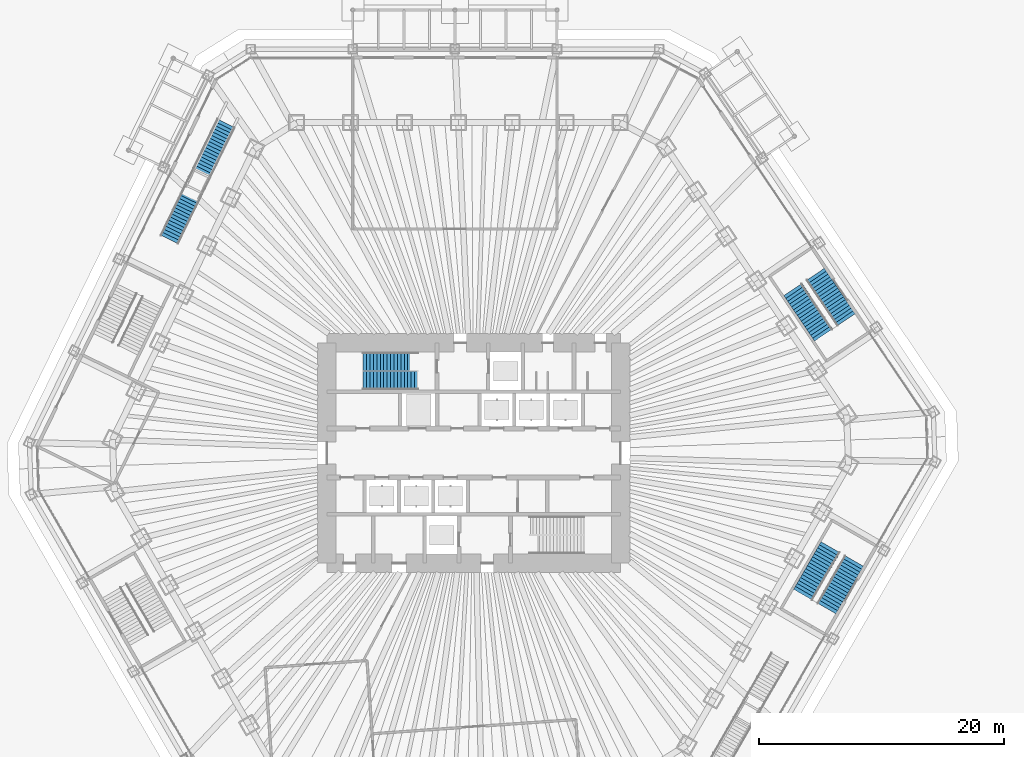
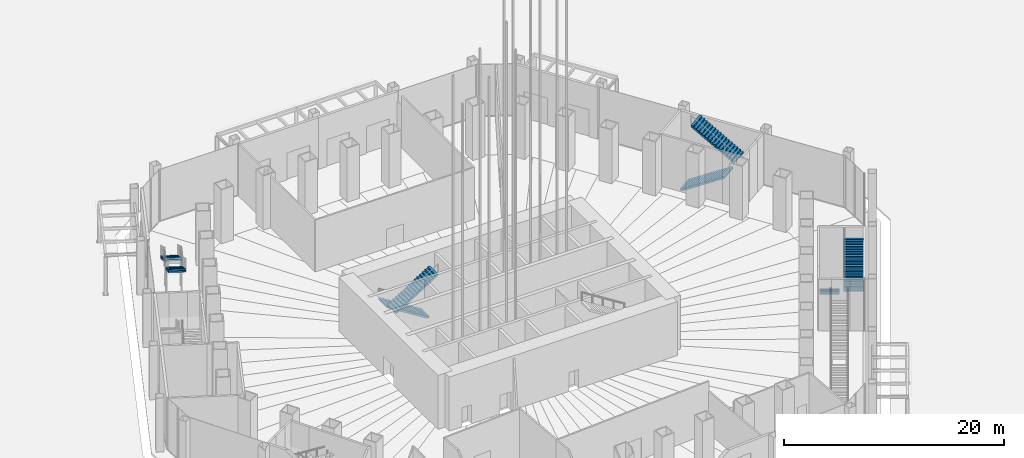
# One storey, part 31 of 45: 8 stair flights, 4 elements without a shape of their own.
"""IFC4 building model written with IfcOpenShell, lengths in metres."""

import ifcopenshell
import ifcopenshell.guid

model = None  # the IFC model being written
_history = None  # IfcOwnerHistory: only IFC2X3 demands one
_inside = {}  # id of a spatial element -> (the spatial element, [elements in it])
_under = {}  # id of a project, library or spatial element -> (it, [spatial elements below it])
_declared = {}  # id of a project -> (the project, [libraries it declares])
_typed = {}  # id of a type object -> (the type object, [elements of that type])
_made_of = {}  # id of a material, layer set ... -> (it, [elements and type objects made of it])


def new_model(schema):
    """Start an empty IFC model of exactly this schema.

    Asked for "IFC4X3", IfcOpenShell would pick the latest addendum, in which some entities
    have other attributes; the version numbers below select the first issue.
    IFC2X3 requires an IfcOwnerHistory on every rooted entity: one is made here for all.
    """
    global model, _history
    if schema == "IFC4X3":
        model = ifcopenshell.file(schema_version=(4, 3, 0, 0))
    else:
        model = ifcopenshell.file(schema=schema)
    _inside.clear()
    _under.clear()
    _declared.clear()
    _typed.clear()
    _made_of.clear()
    _history = None
    if model.schema == "IFC2X3":
        org = make("IfcOrganization", Name="unknown")
        user = make(
            "IfcPersonAndOrganization",
            ThePerson=make("IfcPerson", FamilyName="unknown"),
            TheOrganization=org,
        )
        app = make(
            "IfcApplication",
            ApplicationDeveloper=org,
            Version="unknown",
            ApplicationFullName="unknown",
            ApplicationIdentifier="unknown",
        )
        _history = make(
            "IfcOwnerHistory",
            OwningUser=user,
            OwningApplication=app,
            ChangeAction="ADDED",
            CreationDate=0,
        )
    return model


def make(cls, **values):
    """One entity of the class cls with the attributes given. An attribute that is None is left unset."""
    return model.create_entity(
        cls, **{name: value for name, value in values.items() if value is not None}
    )


def rooted(cls, **values):
    """An entity with a GlobalId (a new one), such as an element, a storey or a relation."""
    return make(cls, GlobalId=ifcopenshell.guid.new(), OwnerHistory=_history, **values)


def si_unit(unit_type, name, prefix=None):
    """IfcSIUnit, for example si_unit("LENGTHUNIT", "METRE", prefix="MILLI")."""
    return make("IfcSIUnit", UnitType=unit_type, Prefix=prefix, Name=name)


def assignment(units):
    """IfcUnitAssignment: the units of a project."""
    return None if units is None else make("IfcUnitAssignment", Units=units)


def point(xyz):
    """IfcCartesianPoint."""
    return None if xyz is None else make("IfcCartesianPoint", Coordinates=xyz)


def direction(xyz):
    """IfcDirection."""
    return None if xyz is None else make("IfcDirection", DirectionRatios=xyz)


def frame(location, z_axis=None, x_axis=None):
    """IfcAxis2Placement3D, a coordinate frame: its origin and axes. An axis left out is left unset."""
    return make(
        "IfcAxis2Placement3D",
        Location=point(location),
        Axis=direction(z_axis),
        RefDirection=direction(x_axis),
    )


def origin():
    """The frame at (0, 0, 0) with its axes left unset."""
    return frame((0.0, 0.0, 0.0))


def place(relative_to, where):
    """IfcLocalPlacement: puts the frame where relative to a parent placement (None: the world)."""
    return make(
        "IfcLocalPlacement", PlacementRelTo=relative_to, RelativePlacement=where
    )


def context(
    kind, dimensions, precision=None, world=None, true_north=None, identifier=None
):
    """IfcGeometricRepresentationContext, for example the 3D "Model" context."""
    return make(
        "IfcGeometricRepresentationContext",
        ContextIdentifier=identifier,
        ContextType=kind,
        CoordinateSpaceDimension=dimensions,
        Precision=precision,
        WorldCoordinateSystem=world,
        TrueNorth=true_north,
    )


def subcontext(parent, identifier, kind, view, scale=None):
    """IfcGeometricRepresentationSubContext, for example "Body" below "Model"."""
    return make(
        "IfcGeometricRepresentationSubContext",
        ContextIdentifier=identifier,
        ContextType=kind,
        ParentContext=parent,
        TargetScale=scale,
        TargetView=view,
    )


def project(units=None, contexts=None):
    """IfcProject with its units and contexts."""
    return rooted(
        "IfcProject",
        Name="project",
        RepresentationContexts=contexts,
        UnitsInContext=assignment(units),
    )


def spatial(cls, under=None, at=None, **own):
    """A site, building, storey or space (cls), placed at a placement, below another one or the project."""
    s = rooted(cls, ObjectPlacement=at, **own)
    if under is not None:
        _under.setdefault(under.id(), (under, []))[1].append(s)
    return s


def polyline(points):
    """IfcPolyline through the points."""
    return make("IfcPolyline", Points=[point(p) for p in points])


def outline(outer, holes=None, kind="AREA"):
    """IfcArbitraryClosedProfileDef: a profile drawn as a closed curve; with holes, ...WithVoids."""
    if holes is None:
        return make("IfcArbitraryClosedProfileDef", ProfileType=kind, OuterCurve=outer)
    return make(
        "IfcArbitraryProfileDefWithVoids",
        ProfileType=kind,
        OuterCurve=outer,
        InnerCurves=holes,
    )


def extrude(swept, where, along, depth):
    """IfcExtrudedAreaSolid: the profile swept, set in the frame where, extruded along a direction by depth."""
    return make(
        "IfcExtrudedAreaSolid",
        SweptArea=swept,
        Position=where,
        ExtrudedDirection=direction(along),
        Depth=depth,
    )


def shape(context_of_items, identifier, shape_type, items):
    """IfcShapeRepresentation: the items that make up one representation, for example the "Body"."""
    return make(
        "IfcShapeRepresentation",
        ContextOfItems=context_of_items,
        RepresentationIdentifier=identifier,
        RepresentationType=shape_type,
        Items=items,
    )


def material(Name=None, Category=None):
    """IfcMaterial."""
    return make("IfcMaterial", Name=Name, Category=Category)


def constituent(of_material, Name=None, Category=None, fraction=None):
    """IfcMaterialConstituent: one of the materials an element consists of."""
    return make(
        "IfcMaterialConstituent",
        Name=Name,
        Material=of_material,
        Fraction=fraction,
        Category=Category,
    )


def constituent_set(constituents=None, Name=None):
    """IfcMaterialConstituentSet."""
    return make(
        "IfcMaterialConstituentSet", Name=Name, MaterialConstituents=constituents
    )


def made_of(thing, what):
    """Note that an element or type object is made of a material, layer set ...; save() writes the relation."""
    if what is not None:
        _made_of.setdefault(what.id(), (what, []))[1].append(thing)
    return thing


def type_object(cls, material=None, **own):
    """A type object (cls), such as IfcWallType, which elements share."""
    return made_of(rooted(cls, **own), material)


def element(
    cls,
    number,
    at=None,
    inside=None,
    cuts=None,
    type_object=None,
    material=None,
    context=None,
    identifier="Body",
    shape_type=None,
    held_by="IfcProductDefinitionShape",
    body=None,
    shapes=None,
    **own,
):
    """One element of the class cls, such as IfcWall. Its Tag is "e" and its number.

    at: its placement. inside: the storey or other place that contains it. cuts: it is an
    opening in that element (IfcRelVoidsElement). A single representation is given by context,
    identifier, shape_type and body (its items); several are given by shapes. held_by: the class
    of the entity that holds the representations. save() writes the other relations.
    """
    e = rooted(cls, Tag="e%d" % number, ObjectPlacement=at, **own)
    if body is not None:
        shapes = [shape(context, identifier, shape_type, body)]
    if shapes is not None:
        e.Representation = make(held_by, Representations=shapes)
    if inside is not None:
        _inside.setdefault(inside.id(), (inside, []))[1].append(e)
    if cuts is not None:
        rooted(
            "IfcRelVoidsElement", RelatingBuildingElement=cuts, RelatedOpeningElement=e
        )
    if type_object is not None:
        _typed.setdefault(type_object.id(), (type_object, []))[1].append(e)
    return made_of(e, material)


def aggregate(whole, parts):
    """IfcRelAggregates: a whole, such as a stair, and the parts it consists of."""
    return rooted("IfcRelAggregates", RelatingObject=whole, RelatedObjects=parts)


def save(model, path):
    """Write the relations noted so far, then the file.

    IfcRelAggregates (storeys below a building ...), IfcRelContainedInSpatialStructure (elements
    in a storey), IfcRelDefinesByType, IfcRelAssociatesMaterial and IfcRelDeclares: one each for
    every whole, place, type object, material and project.
    """
    for whole, parts in _under.values():
        aggregate(whole, parts)
    for where, things in _inside.values():
        rooted(
            "IfcRelContainedInSpatialStructure",
            RelatedElements=things,
            RelatingStructure=where,
        )
    for kind, things in _typed.values():
        rooted("IfcRelDefinesByType", RelatedObjects=things, RelatingType=kind)
    for what, things in _made_of.values():
        rooted("IfcRelAssociatesMaterial", RelatedObjects=things, RelatingMaterial=what)
    for by, libraries in _declared.values():
        rooted("IfcRelDeclares", RelatingContext=by, RelatedDefinitions=libraries)
    model.write(path)


model = new_model("IFC4")

# Units and contexts
model_context = context("Model", 3, precision=1e-05, world=origin(), true_north=direction((0.0, 1.0)))
body_context = subcontext(model_context, "Body", "Model", "MODEL_VIEW")
ifc_project = project(units=[si_unit("LENGTHUNIT", "METRE"), si_unit("AREAUNIT", "SQUARE_METRE"), si_unit("VOLUMEUNIT", "CUBIC_METRE"), si_unit("PLANEANGLEUNIT", "RADIAN"), si_unit("MASSUNIT", "GRAM", prefix="KILO")], contexts=[model_context])

# Site, building, storey
site_placement = place(None, origin())
site = spatial("IfcSite", under=ifc_project, at=site_placement, CompositionType="ELEMENT")
building_placement = place(site_placement, origin())
building = spatial("IfcBuilding", under=site, at=building_placement, Name="Qingtian Harvest Tower", CompositionType="ELEMENT")
storey_placement = place(building_placement, origin())
storey = spatial("IfcBuildingStorey", under=building, at=storey_placement, Name="L00", CompositionType="ELEMENT", Elevation=0.0)

# Stair, stair flights
ifc_material_1 = material(Name="Concrete fc' 35 MPa", Category="concrete")
stair_type_1 = type_object("IfcStairType", Name="Exit stair PS1 6000", PredefinedType="HALF_TURN_STAIR", material=ifc_material_1)
stair_1_placement = place(storey_placement, origin())
stair_1 = element("IfcStair", 1, at=stair_1_placement, inside=storey, type_object=stair_type_1, Name="Exit stair P1 L00", PredefinedType="HALF_TURN_STAIR")
ifc_material_2 = material(Name="Concrete fc' 35 MPa", Category="concrete")
stair_flight_type_1 = type_object("IfcStairFlightType", Name="Exit stair flight EF1 6000", PredefinedType="STRAIGHT", material=ifc_material_2)
stair_flight_1_placement = place(storey_placement, frame((26.086181640625, 13.364990234375, 0.0), z_axis=(0.0, 0.0, 1.0), x_axis=(0.559192903471, -0.829037572555, 0.0)))
stair_flight_1 = element("IfcStairFlight", 2, at=stair_flight_1_placement, type_object=stair_flight_type_1, Name="P1 flight 1", NumberOfRisers=17, NumberOfTreads=16, PredefinedType="STRAIGHT", RiserHeight=0.176470588, TreadLength=0.28, context=body_context, shape_type="SweptSolid", body=[
    extrude(outline(polyline([(0.0, 0.0), (0.0, 0.176513671875), (0.280029296875, 0.176513671875), (0.280029296875, 0.35302734375), (0.56005859375, 0.35302734375), (0.56005859375, 0.529296875), (0.840087890625, 0.529296875), (0.840087890625, 0.705810546875), (1.1201171875, 0.705810546875), (1.1201171875, 0.88232421875), (1.39990234375, 0.88232421875), (1.39990234375, 1.058837890625), (1.679931640625, 1.058837890625), (1.679931640625, 1.2353515625), (1.9599609375, 1.2353515625), (1.9599609375, 1.411865234375), (2.239990234375, 1.411865234375), (2.239990234375, 1.588134765625), (2.52001953125, 1.588134765625), (2.52001953125, 1.7646484375), (2.800048828125, 1.7646484375), (2.800048828125, 1.941162109375), (3.080078125, 1.941162109375), (3.080078125, 2.11767578125), (3.360107421875, 2.11767578125), (3.360107421875, 2.294189453125), (3.639892578125, 2.294189453125), (3.639892578125, 2.470703125), (3.919921875, 2.470703125), (3.919921875, 2.64697265625), (4.199951171875, 2.64697265625), (4.199951171875, 2.823486328125), (4.47998046875, 2.823486328125), (4.47998046875, 3.0), (4.47998046875, 2.646240234375), (0.28125, 0.0), (0.0, 0.0)])), frame((0.0, 0.89990234375, 0.0), z_axis=(0.0, -1.0, 0.0), x_axis=(1.0, 0.0, 0.0)), (0.0, 0.0, 1.0), 1.800048828125),
])
stair_flight_2_placement = place(storey_placement, frame((30.415283203125, 10.881103515625, 3.0), z_axis=(0.0, 0.0, 1.0), x_axis=(-0.559192903471, 0.829037572555, 0.0)))
stair_flight_2 = element("IfcStairFlight", 3, at=stair_flight_2_placement, type_object=stair_flight_type_1, Name="P1 flight 2", NumberOfRisers=17, NumberOfTreads=16, PredefinedType="STRAIGHT", RiserHeight=0.176470588, TreadLength=0.28, context=body_context, shape_type="SweptSolid", body=[
    extrude(outline(polyline([(0.0, 0.0), (0.0, 0.176513671875), (0.280029296875, 0.176513671875), (0.280029296875, 0.35302734375), (0.56005859375, 0.35302734375), (0.56005859375, 0.529296875), (0.840087890625, 0.529296875), (0.840087890625, 0.705810546875), (1.1201171875, 0.705810546875), (1.1201171875, 0.88232421875), (1.39990234375, 0.88232421875), (1.39990234375, 1.058837890625), (1.679931640625, 1.058837890625), (1.679931640625, 1.2353515625), (1.9599609375, 1.2353515625), (1.9599609375, 1.411865234375), (2.239990234375, 1.411865234375), (2.239990234375, 1.588134765625), (2.52001953125, 1.588134765625), (2.52001953125, 1.7646484375), (2.800048828125, 1.7646484375), (2.800048828125, 1.941162109375), (3.080078125, 1.941162109375), (3.080078125, 2.11767578125), (3.360107421875, 2.11767578125), (3.360107421875, 2.294189453125), (3.639892578125, 2.294189453125), (3.639892578125, 2.470703125), (3.919921875, 2.470703125), (3.919921875, 2.64697265625), (4.199951171875, 2.64697265625), (4.199951171875, 2.823486328125), (4.47998046875, 2.823486328125), (4.47998046875, 3.0), (4.47998046875, 2.646240234375), (0.28125, 0.0), (0.0, 0.0)])), frame((0.0, 0.89990234375, 0.0), z_axis=(0.0, -1.0, 0.0), x_axis=(1.0, 0.0, 0.0)), (0.0, 0.0, 1.0), 1.800048828125),
])
aggregate(stair_1, [stair_flight_1, stair_flight_2])

stair_2_placement = place(storey_placement, origin())
stair_2 = element("IfcStair", 4, at=stair_2_placement, inside=storey, type_object=stair_type_1, Name="Exit stair P2 L00", PredefinedType="HALF_TURN_STAIR")
stair_flight_3_placement = place(storey_placement, frame((29.15576171875, -7.70068359375, 0.0), z_axis=(0.0, 0.0, 1.0), x_axis=(-0.5, -0.866025403784, 0.0)))
stair_flight_3 = element("IfcStairFlight", 5, at=stair_flight_3_placement, type_object=stair_flight_type_1, Name="P2 flight 1", NumberOfRisers=17, NumberOfTreads=16, PredefinedType="STRAIGHT", RiserHeight=0.176470588, TreadLength=0.28, context=body_context, shape_type="SweptSolid", body=[
    extrude(outline(polyline([(0.0, 0.0), (0.0, 0.176513671875), (0.280029296875, 0.176513671875), (0.280029296875, 0.35302734375), (0.56005859375, 0.35302734375), (0.56005859375, 0.529296875), (0.840087890625, 0.529296875), (0.840087890625, 0.705810546875), (1.1201171875, 0.705810546875), (1.1201171875, 0.88232421875), (1.39990234375, 0.88232421875), (1.39990234375, 1.058837890625), (1.679931640625, 1.058837890625), (1.679931640625, 1.2353515625), (1.9599609375, 1.2353515625), (1.9599609375, 1.411865234375), (2.239990234375, 1.411865234375), (2.239990234375, 1.588134765625), (2.52001953125, 1.588134765625), (2.52001953125, 1.7646484375), (2.800048828125, 1.7646484375), (2.800048828125, 1.941162109375), (3.080078125, 1.941162109375), (3.080078125, 2.11767578125), (3.360107421875, 2.11767578125), (3.360107421875, 2.294189453125), (3.639892578125, 2.294189453125), (3.639892578125, 2.470703125), (3.919921875, 2.470703125), (3.919921875, 2.64697265625), (4.199951171875, 2.64697265625), (4.199951171875, 2.823486328125), (4.47998046875, 2.823486328125), (4.47998046875, 3.0), (4.47998046875, 2.646240234375), (0.28125, 0.0), (0.0, 0.0)])), frame((0.0, 0.89990234375, 0.0), z_axis=(0.0, -1.0, 0.0), x_axis=(1.0, 0.0, 0.0)), (0.0, 0.0, 1.0), 1.800048828125),
])
stair_flight_4_placement = place(storey_placement, frame((28.821044921875, -12.680419921875, 3.0), z_axis=(0.0, 0.0, 1.0), x_axis=(0.5, 0.866025403784, 0.0)))
stair_flight_4 = element("IfcStairFlight", 6, at=stair_flight_4_placement, type_object=stair_flight_type_1, Name="P2 flight 2", NumberOfRisers=17, NumberOfTreads=16, PredefinedType="STRAIGHT", RiserHeight=0.176470588, TreadLength=0.28, context=body_context, shape_type="SweptSolid", body=[
    extrude(outline(polyline([(0.0, 0.0), (0.0, 0.176513671875), (0.280029296875, 0.176513671875), (0.280029296875, 0.35302734375), (0.56005859375, 0.35302734375), (0.56005859375, 0.529296875), (0.840087890625, 0.529296875), (0.840087890625, 0.705810546875), (1.1201171875, 0.705810546875), (1.1201171875, 0.88232421875), (1.39990234375, 0.88232421875), (1.39990234375, 1.058837890625), (1.679931640625, 1.058837890625), (1.679931640625, 1.2353515625), (1.9599609375, 1.2353515625), (1.9599609375, 1.411865234375), (2.239990234375, 1.411865234375), (2.239990234375, 1.588134765625), (2.52001953125, 1.588134765625), (2.52001953125, 1.7646484375), (2.800048828125, 1.7646484375), (2.800048828125, 1.941162109375), (3.080078125, 1.941162109375), (3.080078125, 2.11767578125), (3.360107421875, 2.11767578125), (3.360107421875, 2.294189453125), (3.639892578125, 2.294189453125), (3.639892578125, 2.470703125), (3.919921875, 2.470703125), (3.919921875, 2.64697265625), (4.199951171875, 2.64697265625), (4.199951171875, 2.823486328125), (4.47998046875, 2.823486328125), (4.47998046875, 3.0), (4.47998046875, 2.646240234375), (0.28125, 0.0), (0.0, 0.0)])), frame((0.0, 0.89990234375, 0.0), z_axis=(0.0, -1.0, 0.0), x_axis=(1.0, 0.0, 0.0)), (0.0, 0.0, 1.0), 1.800048828125),
])
aggregate(stair_2, [stair_flight_3, stair_flight_4])

ifc_material_3 = material(Name="Steel SN490B (325 MPa)", Category="steel")
ifc_constituent_1 = constituent(ifc_material_3, Name="Stringers")
ifc_material_4 = material(Name="Terrazzo treads")
ifc_constituent_2 = constituent(ifc_material_4, Name="Treads")
ifc_constituent_set_1 = constituent_set(constituents=[ifc_constituent_1, ifc_constituent_2], Name="Steel SN490B (325 MPa)")
stair_type_2 = type_object("IfcStairType", Name="Feature stair FS6000 straight run", PredefinedType="STRAIGHT_RUN_STAIR", material=ifc_constituent_set_1)
stair_3_placement = place(storey_placement, origin())
stair_3 = element("IfcStair", 7, at=stair_3_placement, inside=storey, type_object=stair_type_2, Name="Feature stair FS2 L00 to L01", PredefinedType="STRAIGHT_RUN_STAIR")
ifc_material_5 = material(Name="Steel SN490B (325 MPa)", Category="steel")
ifc_constituent_3 = constituent(ifc_material_5, Name="Stringers")
ifc_material_6 = material(Name="Terrazzo treads")
ifc_constituent_4 = constituent(ifc_material_6, Name="Treads")
ifc_constituent_set_2 = constituent_set(constituents=[ifc_constituent_3, ifc_constituent_4], Name="Steel SN490B (325 MPa)")
stair_flight_type_2 = type_object("IfcStairFlightType", Name="Feature stair flight FF6000", PredefinedType="STRAIGHT", material=ifc_constituent_set_2)
stair_flight_5_placement = place(storey_placement, frame((-20.2353515625, 26.945556640625, 0.0), z_axis=(0.0, 0.0, 1.0), x_axis=(-0.438371146789, -0.898794046299, 0.0)))
stair_flight_5 = element("IfcStairFlight", 8, at=stair_flight_5_placement, type_object=stair_flight_type_2, Name="FS2 flight 1", NumberOfRisers=17, NumberOfTreads=16, PredefinedType="STRAIGHT", RiserHeight=0.176470588, TreadLength=0.28, context=body_context, shape_type="SweptSolid", body=[
    extrude(outline(polyline([(0.0, 0.0), (0.0, 0.176513671875), (0.280029296875, 0.176513671875), (0.280029296875, 0.35302734375), (0.56005859375, 0.35302734375), (0.56005859375, 0.529296875), (0.840087890625, 0.529296875), (0.840087890625, 0.705810546875), (1.1201171875, 0.705810546875), (1.1201171875, 0.88232421875), (1.39990234375, 0.88232421875), (1.39990234375, 1.058837890625), (1.679931640625, 1.058837890625), (1.679931640625, 1.2353515625), (1.9599609375, 1.2353515625), (1.9599609375, 1.411865234375), (2.239990234375, 1.411865234375), (2.239990234375, 1.588134765625), (2.52001953125, 1.588134765625), (2.52001953125, 1.7646484375), (2.800048828125, 1.7646484375), (2.800048828125, 1.941162109375), (3.080078125, 1.941162109375), (3.080078125, 2.11767578125), (3.360107421875, 2.11767578125), (3.360107421875, 2.294189453125), (3.639892578125, 2.294189453125), (3.639892578125, 2.470703125), (3.919921875, 2.470703125), (3.919921875, 2.64697265625), (4.199951171875, 2.64697265625), (4.199951171875, 2.823486328125), (4.47998046875, 2.823486328125), (4.47998046875, 3.0), (4.47998046875, 2.646240234375), (0.28125, 0.0), (0.0, 0.0)])), frame((0.0, 0.800048828125, 0.0), z_axis=(0.0, -1.0, 0.0), x_axis=(1.0, 0.0, 0.0)), (0.0, 0.0, 1.0), 1.60009765625),
])
stair_flight_6_placement = place(storey_placement, frame((-22.900634765625, 21.48095703125, 3.0), z_axis=(0.0, 0.0, 1.0), x_axis=(-0.438371146789, -0.898794046299, 0.0)))
stair_flight_6 = element("IfcStairFlight", 9, at=stair_flight_6_placement, type_object=stair_flight_type_2, Name="FS2 flight 2", NumberOfRisers=17, NumberOfTreads=16, PredefinedType="STRAIGHT", RiserHeight=0.176470588, TreadLength=0.28, context=body_context, shape_type="SweptSolid", body=[
    extrude(outline(polyline([(0.0, 0.0), (0.0, 0.176513671875), (0.280029296875, 0.176513671875), (0.280029296875, 0.35302734375), (0.56005859375, 0.35302734375), (0.56005859375, 0.529296875), (0.840087890625, 0.529296875), (0.840087890625, 0.705810546875), (1.1201171875, 0.705810546875), (1.1201171875, 0.88232421875), (1.39990234375, 0.88232421875), (1.39990234375, 1.058837890625), (1.679931640625, 1.058837890625), (1.679931640625, 1.2353515625), (1.9599609375, 1.2353515625), (1.9599609375, 1.411865234375), (2.239990234375, 1.411865234375), (2.239990234375, 1.588134765625), (2.52001953125, 1.588134765625), (2.52001953125, 1.7646484375), (2.800048828125, 1.7646484375), (2.800048828125, 1.941162109375), (3.080078125, 1.941162109375), (3.080078125, 2.11767578125), (3.360107421875, 2.11767578125), (3.360107421875, 2.294189453125), (3.639892578125, 2.294189453125), (3.639892578125, 2.470703125), (3.919921875, 2.470703125), (3.919921875, 2.64697265625), (4.199951171875, 2.64697265625), (4.199951171875, 2.823486328125), (4.47998046875, 2.823486328125), (4.47998046875, 3.0), (4.47998046875, 2.646240234375), (0.28125, 0.0), (0.0, 0.0)])), frame((0.0, 0.800048828125, 0.0), z_axis=(0.0, -1.0, 0.0), x_axis=(1.0, 0.0, 0.0)), (0.0, 0.0, 1.0), 1.60009765625),
])
aggregate(stair_3, [stair_flight_5, stair_flight_6])

ifc_material_7 = material(Name="Concrete fc' 35 MPa", Category="concrete")
stair_type_3 = type_object("IfcStairType", Name="Special stair ST1 6000", PredefinedType="HALF_TURN_STAIR", material=ifc_material_7)
stair_4_placement = place(storey_placement, origin())
stair_4 = element("IfcStair", 10, at=stair_4_placement, inside=storey, type_object=stair_type_3, Name="Special stair S1 L00", PredefinedType="HALF_TURN_STAIR")
ifc_material_8 = material(Name="Concrete fc' 35 MPa", Category="concrete")
stair_flight_type_3 = type_object("IfcStairFlightType", Name="Stair flight SF1 6000", PredefinedType="STRAIGHT", material=ifc_material_8)
stair_flight_7_placement = place(storey_placement, frame((-4.550048828125, 7.5, 0.0), z_axis=(0.0, 0.0, 1.0), x_axis=(-1.0, 0.0, 0.0)))
stair_flight_7 = element("IfcStairFlight", 11, at=stair_flight_7_placement, type_object=stair_flight_type_3, Name="S1 flight 1", NumberOfRisers=17, NumberOfTreads=16, PredefinedType="STRAIGHT", RiserHeight=0.176470588, TreadLength=0.28, context=body_context, shape_type="SweptSolid", body=[
    extrude(outline(polyline([(0.0, 0.0), (0.0, 0.176513671875), (0.280029296875, 0.176513671875), (0.280029296875, 0.35302734375), (0.56005859375, 0.35302734375), (0.56005859375, 0.529296875), (0.840087890625, 0.529296875), (0.840087890625, 0.705810546875), (1.1201171875, 0.705810546875), (1.1201171875, 0.88232421875), (1.39990234375, 0.88232421875), (1.39990234375, 1.058837890625), (1.679931640625, 1.058837890625), (1.679931640625, 1.2353515625), (1.9599609375, 1.2353515625), (1.9599609375, 1.411865234375), (2.239990234375, 1.411865234375), (2.239990234375, 1.588134765625), (2.52001953125, 1.588134765625), (2.52001953125, 1.7646484375), (2.800048828125, 1.7646484375), (2.800048828125, 1.941162109375), (3.080078125, 1.941162109375), (3.080078125, 2.11767578125), (3.360107421875, 2.11767578125), (3.360107421875, 2.294189453125), (3.639892578125, 2.294189453125), (3.639892578125, 2.470703125), (3.919921875, 2.470703125), (3.919921875, 2.64697265625), (4.199951171875, 2.64697265625), (4.199951171875, 2.823486328125), (4.47998046875, 2.823486328125), (4.47998046875, 3.0), (4.47998046875, 2.646240234375), (0.28125, 0.0), (0.0, 0.0)])), frame((0.0, 0.75, 0.0), z_axis=(0.0, -1.0, 0.0), x_axis=(1.0, 0.0, 0.0)), (0.0, 0.0, 1.0), 1.5),
])
stair_flight_8_placement = place(storey_placement, frame((-9.030029296875, 5.89990234375, 3.0), z_axis=(0.0, 0.0, 1.0), x_axis=(1.0, 0.0, 0.0)))
stair_flight_8 = element("IfcStairFlight", 12, at=stair_flight_8_placement, type_object=stair_flight_type_3, Name="S1 flight 2", NumberOfRisers=17, NumberOfTreads=16, PredefinedType="STRAIGHT", RiserHeight=0.176470588, TreadLength=0.28, context=body_context, shape_type="SweptSolid", body=[
    extrude(outline(polyline([(0.0, 0.0), (0.0, 0.176513671875), (0.280029296875, 0.176513671875), (0.280029296875, 0.35302734375), (0.56005859375, 0.35302734375), (0.56005859375, 0.529296875), (0.840087890625, 0.529296875), (0.840087890625, 0.705810546875), (1.1201171875, 0.705810546875), (1.1201171875, 0.88232421875), (1.39990234375, 0.88232421875), (1.39990234375, 1.058837890625), (1.679931640625, 1.058837890625), (1.679931640625, 1.2353515625), (1.9599609375, 1.2353515625), (1.9599609375, 1.411865234375), (2.239990234375, 1.411865234375), (2.239990234375, 1.588134765625), (2.52001953125, 1.588134765625), (2.52001953125, 1.7646484375), (2.800048828125, 1.7646484375), (2.800048828125, 1.941162109375), (3.080078125, 1.941162109375), (3.080078125, 2.11767578125), (3.360107421875, 2.11767578125), (3.360107421875, 2.294189453125), (3.639892578125, 2.294189453125), (3.639892578125, 2.470703125), (3.919921875, 2.470703125), (3.919921875, 2.64697265625), (4.199951171875, 2.64697265625), (4.199951171875, 2.823486328125), (4.47998046875, 2.823486328125), (4.47998046875, 3.0), (4.47998046875, 2.646240234375), (0.28125, 0.0), (0.0, 0.0)])), frame((0.0, 0.75, 0.0), z_axis=(0.0, -1.0, 0.0), x_axis=(1.0, 0.0, 0.0)), (0.0, 0.0, 1.0), 1.5),
])
aggregate(stair_4, [stair_flight_7, stair_flight_8])

save(model, "model.ifc")
